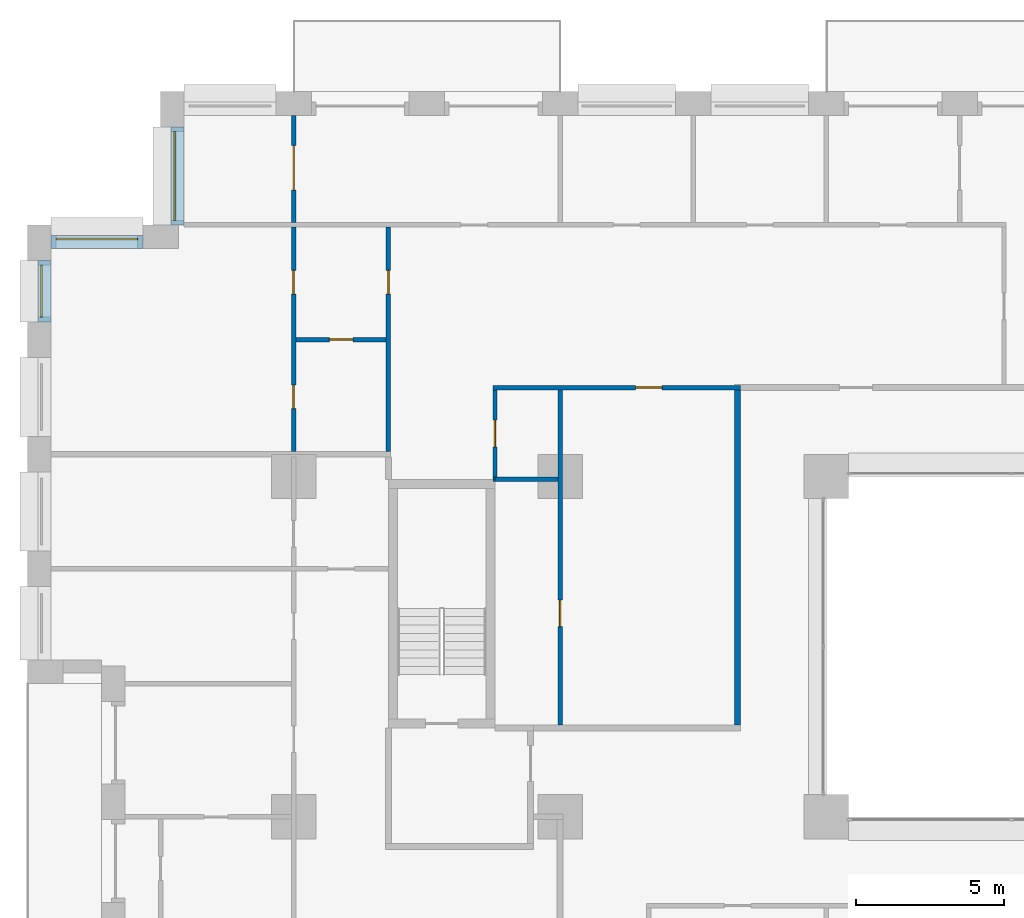
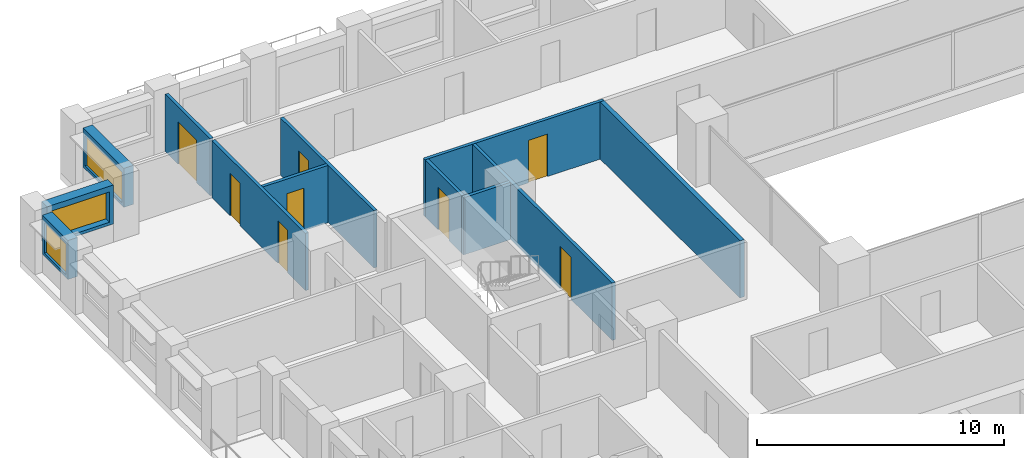
# One storey, part 14 of 20: 13 walls, 8 doors, 3 windows, 11 openings.
"""IFC4 building model written with IfcOpenShell, lengths in metres."""

from ifc_helpers import new_model, si_unit, direction, frame, frame_2d, origin, place, context, subcontext, project, spatial, rectangle, extrude, material, layer, layer_set, type_object, element, fill, save


model = new_model("IFC4")

# Units and contexts
model_context = context("Model", 3, precision=1e-05, world=origin(), true_north=direction((0.0, 1.0)))
body_context = subcontext(model_context, "Body", "Model", "MODEL_VIEW")
ifc_project = project(units=[si_unit("LENGTHUNIT", "METRE"), si_unit("AREAUNIT", "SQUARE_METRE"), si_unit("VOLUMEUNIT", "CUBIC_METRE"), si_unit("PLANEANGLEUNIT", "RADIAN"), si_unit("MASSUNIT", "GRAM", prefix="KILO")], contexts=[model_context])

# Site, building, storey
site_placement = place(None, origin())
site = spatial("IfcSite", under=ifc_project, at=site_placement, CompositionType="ELEMENT")
building_placement = place(site_placement, origin())
building = spatial("IfcBuilding", under=site, at=building_placement, Name="Brigalow Station Residences", CompositionType="ELEMENT")
storey_placement = place(building_placement, frame((0.0, 0.0, 38.39990234375)))
storey = spatial("IfcBuildingStorey", under=building, at=storey_placement, Name="L10", CompositionType="ELEMENT", Elevation=38.39990234375)

# Wall, opening, window
ifc_material_1 = material(Name="Clay brick masonry", Category="masonry")
ifc_layer_1 = layer(ifc_material_1, 0.449951171875)
ifc_layer_set_1 = layer_set([ifc_layer_1], Name="BRICK INFILL WALL 450")
wall_type_1 = type_object("IfcWallType", Name="BRICK INFILL WALL 450", PredefinedType="SOLIDWALL", material=ifc_layer_set_1)
wall_1_placement = place(storey_placement, frame((5.074951171875, 47.300048828125, 0.900146484375), z_axis=(0.0, 0.0, 1.0), x_axis=(0.0, -1.0, 0.0)))
wall_1 = element("IfcWall", 1, at=wall_1_placement, inside=storey, type_object=wall_type_1, Name="L10/ewall/W-L10-40", PredefinedType="SOLIDWALL", context=body_context, shape_type="SweptSolid", body=[
    extrude(rectangle(XDim=3.300048828125, YDim=0.449951171875, at=frame_2d((1.64990234375, 0.0))), origin(), (0.0, 0.0, 1.0), 1.929931640625),
])
opening_1_placement = place(wall_1_placement, frame((0.14990234375, 0.0, 0.14990234375)))
opening_1 = element("IfcOpeningElement", 2, at=opening_1_placement, cuts=wall_1, Name="Opening WT-2", PredefinedType="OPENING", context=body_context, shape_type="SweptSolid", body=[
    extrude(rectangle(XDim=3.0, YDim=1.5, at=frame_2d((1.5, 0.75))), frame((0.0, 0.23486328125, 0.0), z_axis=(0.0, -1.0, 0.0), x_axis=(1.0, 0.0, 0.0)), (0.0, 0.0, 1.0), 0.469970703125),
])
ifc_material_2 = material(Name="Anodised aluminium frame with double glazing", Category="aluminium")
window_type_1 = type_object("IfcWindowType", Name="WINDOW 3000x1500", PartitioningType="SINGLE_PANEL", PredefinedType="WINDOW", material=ifc_material_2)
window_1_placement = place(opening_1_placement, origin())
window_1 = element("IfcWindow", 3, at=window_1_placement, inside=storey, type_object=window_type_1, Name="L10/window/W-L10-40", OverallHeight=1.5, OverallWidth=3.0, PartitioningType="SINGLE_PANEL", PredefinedType="WINDOW", context=body_context, shape_type="SweptSolid", body=[
    extrude(rectangle(XDim=3.0, YDim=1.5, at=frame_2d((1.5, 0.75))), frame((0.0, -0.06494140625, 0.0), z_axis=(0.0, -1.0, 0.0), x_axis=(1.0, 0.0, 0.0)), (0.0, 0.0, 1.0), 0.06005859375),
])
fill(opening_1, window_1)

wall_2_placement = place(storey_placement, frame((3.89990234375, 43.425048828125, 0.900146484375), z_axis=(0.0, 0.0, 1.0), x_axis=(-1.0, 0.0, 0.0)))
wall_2 = element("IfcWall", 4, at=wall_2_placement, inside=storey, type_object=wall_type_1, Name="L10/ewall/W-L10-41", PredefinedType="SOLIDWALL", context=body_context, shape_type="SweptSolid", body=[
    extrude(rectangle(XDim=3.099853515625, YDim=0.449951171875, at=frame_2d((1.5498046875, 0.0))), origin(), (0.0, 0.0, 1.0), 1.929931640625),
])
opening_2_placement = place(wall_2_placement, frame((0.175048828125, 0.0, 0.14990234375)))
opening_2 = element("IfcOpeningElement", 5, at=opening_2_placement, cuts=wall_2, Name="Opening WT-3", PredefinedType="OPENING", context=body_context, shape_type="SweptSolid", body=[
    extrude(rectangle(XDim=2.75, YDim=1.5, at=frame_2d((1.375, 0.75))), frame((0.0, 0.23486328125, 0.0), z_axis=(0.0, -1.0, 0.0), x_axis=(1.0, 0.0, 0.0)), (0.0, 0.0, 1.0), 0.469970703125),
])
ifc_material_3 = material(Name="Anodised aluminium frame with double glazing", Category="aluminium")
window_type_2 = type_object("IfcWindowType", Name="WINDOW 2750x1500", PartitioningType="SINGLE_PANEL", PredefinedType="WINDOW", material=ifc_material_3)
window_2_placement = place(opening_2_placement, origin())
window_2 = element("IfcWindow", 6, at=window_2_placement, inside=storey, type_object=window_type_2, Name="L10/window/W-L10-41", OverallHeight=1.5, OverallWidth=2.75, PartitioningType="SINGLE_PANEL", PredefinedType="WINDOW", context=body_context, shape_type="SweptSolid", body=[
    extrude(rectangle(XDim=2.75, YDim=1.5, at=frame_2d((1.375, 0.75))), frame((0.0, -0.06494140625, 0.0), z_axis=(0.0, -1.0, 0.0), x_axis=(1.0, 0.0, 0.0)), (0.0, 0.0, 1.0), 0.06005859375),
])
fill(opening_2, window_2)

wall_3_placement = place(storey_placement, frame((0.574951171875, 42.800048828125, 0.900146484375), z_axis=(0.0, 0.0, 1.0), x_axis=(0.0, -1.0, 0.0)))
wall_3 = element("IfcWall", 7, at=wall_3_placement, inside=storey, type_object=wall_type_1, Name="L10/ewall/W-L10-42", PredefinedType="SOLIDWALL", context=body_context, shape_type="SweptSolid", body=[
    extrude(rectangle(XDim=2.074951171875, YDim=0.449951171875, at=frame_2d((1.03759765625, 0.0))), origin(), (0.0, 0.0, 1.0), 1.929931640625),
])
opening_3_placement = place(wall_3_placement, frame((0.16259765625, 0.0, 0.14990234375)))
opening_3 = element("IfcOpeningElement", 8, at=opening_3_placement, cuts=wall_3, Name="Opening WT-4", PredefinedType="OPENING", context=body_context, shape_type="SweptSolid", body=[
    extrude(rectangle(XDim=1.75, YDim=1.5, at=frame_2d((0.875, 0.75))), frame((0.0, 0.23486328125, 0.0), z_axis=(0.0, -1.0, 0.0), x_axis=(1.0, 0.0, 0.0)), (0.0, 0.0, 1.0), 0.469970703125),
])
ifc_material_4 = material(Name="Anodised aluminium frame with double glazing", Category="aluminium")
window_type_3 = type_object("IfcWindowType", Name="WINDOW 1750x1500", PartitioningType="SINGLE_PANEL", PredefinedType="WINDOW", material=ifc_material_4)
window_3_placement = place(opening_3_placement, origin())
window_3 = element("IfcWindow", 9, at=window_3_placement, inside=storey, type_object=window_type_3, Name="L10/window/W-L10-42", OverallHeight=1.5, OverallWidth=1.75, PartitioningType="SINGLE_PANEL", PredefinedType="WINDOW", context=body_context, shape_type="SweptSolid", body=[
    extrude(rectangle(XDim=1.75, YDim=1.5, at=frame_2d((0.875, 0.75))), frame((0.0, -0.06494140625, 0.0), z_axis=(0.0, -1.0, 0.0), x_axis=(1.0, 0.0, 0.0)), (0.0, 0.0, 1.0), 0.06005859375),
])
fill(opening_3, window_3)

# Wall, opening, door
ifc_material_5 = material(Name="Plasterboard on steel stud partition", Category="steel")
ifc_layer_2 = layer(ifc_material_5, 0.14990234375)
ifc_layer_set_2 = layer_set([ifc_layer_2], Name="FLAT PARTITION 150")
wall_type_2 = type_object("IfcWallType", Name="FLAT PARTITION 150", PredefinedType="PARTITIONING", material=ifc_layer_set_2)
wall_4_placement = place(storey_placement, frame((15.72509765625, 38.5, 0.0), z_axis=(0.0, 0.0, 1.0), x_axis=(1.0, 0.0, 0.0)))
wall_4 = element("IfcWall", 10, at=wall_4_placement, inside=storey, type_object=wall_type_2, Name="PW-1C09", PredefinedType="PARTITIONING", context=body_context, shape_type="SweptSolid", body=[
    extrude(rectangle(XDim=8.375, YDim=0.14990234375, at=frame_2d((4.1875, 0.0))), origin(), (0.0, 0.0, 1.0), 2.830078125),
])
opening_4_placement = place(wall_4_placement, frame((4.824951171875, 0.0, 0.0)))
opening_4 = element("IfcOpeningElement", 11, at=opening_4_placement, cuts=wall_4, Name="Opening D-1C28", PredefinedType="OPENING", context=body_context, shape_type="SweptSolid", body=[
    extrude(rectangle(XDim=0.89990234375, YDim=2.10009765625, at=frame_2d((0.449951171875, 1.050048828125))), frame((0.0, 0.0849609375, 0.0), z_axis=(0.0, -1.0, 0.0), x_axis=(1.0, 0.0, 0.0)), (0.0, 0.0, 1.0), 0.169921875),
])
ifc_material_6 = material(Name="Solid-core timber door leaf", Category="wood")
door_type_1 = type_object("IfcDoorType", Name="INTERNAL DOOR 900 x 2100", OperationType="SINGLE_SWING_LEFT", PredefinedType="DOOR", material=ifc_material_6)
door_1_placement = place(opening_4_placement, frame((0.89990234375, 0.0, 0.0), z_axis=(0.0, 0.0, 1.0), x_axis=(-1.0, 0.0, 0.0)))
door_1 = element("IfcDoor", 12, at=door_1_placement, inside=storey, type_object=door_type_1, Name="D-1C28", OperationType="SINGLE_SWING_LEFT", OverallHeight=2.10009765625, OverallWidth=0.89990234375, PredefinedType="DOOR", context=body_context, shape_type="SweptSolid", body=[
    extrude(rectangle(XDim=0.89990234375, YDim=2.10009765625, at=frame_2d((0.449951171875, 1.050048828125))), frame((0.0, 0.02490234375, 0.0), z_axis=(0.0, -1.0, 0.0), x_axis=(1.0, 0.0, 0.0)), (0.0, 0.0, 1.0), 0.050048828125),
])
fill(opening_4, door_1)

# Walls
wall_5_placement = place(storey_placement, frame((15.72509765625, 35.39990234375, 0.0), z_axis=(0.0, 0.0, 1.0), x_axis=(1.0, 0.0, 0.0)))
element("IfcWall", 13, at=wall_5_placement, inside=storey, type_object=wall_type_2, Name="PW-1C28", PredefinedType="PARTITIONING", context=body_context, shape_type="SweptSolid", body=[
    extrude(rectangle(XDim=0.074951171875, YDim=0.14990234375, at=frame_2d((0.03759765625, 0.0))), origin(), (0.0, 0.0, 1.0), 2.830078125),
])
wall_6_placement = place(storey_placement, frame((15.800048828125, 35.39990234375, 0.0), z_axis=(0.0, 0.0, 1.0), x_axis=(1.0, 0.0, 0.0)))
element("IfcWall", 14, at=wall_6_placement, inside=storey, type_object=wall_type_2, Name="PW-1C29", PredefinedType="PARTITIONING", context=body_context, shape_type="SweptSolid", body=[
    extrude(rectangle(XDim=2.125, YDim=0.14990234375, at=frame_2d((1.0625, 0.0))), origin(), (0.0, 0.0, 1.0), 2.830078125),
])

# Wall, opening, door
wall_7_placement = place(storey_placement, frame((9.074951171875, 40.125, 0.0), z_axis=(0.0, 0.0, 1.0), x_axis=(1.0, 0.0, 0.0)))
wall_7 = element("IfcWall", 15, at=wall_7_placement, inside=storey, type_object=wall_type_2, Name="PW-1C32", PredefinedType="PARTITIONING", context=body_context, shape_type="SweptSolid", body=[
    extrude(rectangle(XDim=3.050048828125, YDim=0.14990234375, at=frame_2d((1.52490234375, 0.0))), origin(), (0.0, 0.0, 1.0), 2.830078125),
])
opening_5_placement = place(wall_7_placement, frame((1.125, 0.0, 0.0)))
opening_5 = element("IfcOpeningElement", 16, at=opening_5_placement, cuts=wall_7, Name="Opening D-1C22", PredefinedType="OPENING", context=body_context, shape_type="SweptSolid", body=[
    extrude(rectangle(XDim=0.800048828125, YDim=2.10009765625, at=frame_2d((0.39990234375, 1.050048828125))), frame((0.0, 0.0849609375, 0.0), z_axis=(0.0, -1.0, 0.0), x_axis=(1.0, 0.0, 0.0)), (0.0, 0.0, 1.0), 0.169921875),
])
ifc_material_7 = material(Name="Solid-core timber door leaf", Category="wood")
door_type_2 = type_object("IfcDoorType", Name="INTERNAL DOOR 800 x 2100", OperationType="SINGLE_SWING_LEFT", PredefinedType="DOOR", material=ifc_material_7)
door_2_placement = place(opening_5_placement, frame((0.800048828125, 0.0, 0.0), z_axis=(0.0, 0.0, 1.0), x_axis=(-1.0, 0.0, 0.0)))
door_2 = element("IfcDoor", 17, at=door_2_placement, inside=storey, type_object=door_type_2, Name="D-1C22", OperationType="SINGLE_SWING_LEFT", OverallHeight=2.10009765625, OverallWidth=0.800048828125, PredefinedType="DOOR", context=body_context, shape_type="SweptSolid", body=[
    extrude(rectangle(XDim=0.800048828125, YDim=2.10009765625, at=frame_2d((0.39990234375, 1.050048828125))), frame((0.0, 0.02490234375, 0.0), z_axis=(0.0, -1.0, 0.0), x_axis=(1.0, 0.0, 0.0)), (0.0, 0.0, 1.0), 0.050048828125),
])
fill(opening_5, door_2)

wall_8_placement = place(storey_placement, frame((18.0, 27.10009765625, 0.0), z_axis=(0.0, 0.0, 1.0), x_axis=(0.0, 1.0, 0.0)))
wall_8 = element("IfcWall", 18, at=wall_8_placement, inside=storey, type_object=wall_type_2, Name="PW-1C38", PredefinedType="PARTITIONING", context=body_context, shape_type="SweptSolid", body=[
    extrude(rectangle(XDim=11.324951171875, YDim=0.14990234375, at=frame_2d((5.66259765625, 0.0))), origin(), (0.0, 0.0, 1.0), 2.830078125),
])
opening_6_placement = place(wall_8_placement, frame((3.324951171875, 0.0, 0.0)))
opening_6 = element("IfcOpeningElement", 19, at=opening_6_placement, cuts=wall_8, Name="Opening D-1C31", PredefinedType="OPENING", context=body_context, shape_type="SweptSolid", body=[
    extrude(rectangle(XDim=0.89990234375, YDim=2.10009765625, at=frame_2d((0.449951171875, 1.050048828125))), frame((0.0, 0.0849609375, 0.0), z_axis=(0.0, -1.0, 0.0), x_axis=(1.0, 0.0, 0.0)), (0.0, 0.0, 1.0), 0.169921875),
])
door_3_placement = place(opening_6_placement, origin())
door_3 = element("IfcDoor", 20, at=door_3_placement, inside=storey, type_object=door_type_1, Name="D-1C31", OperationType="SINGLE_SWING_LEFT", OverallHeight=2.10009765625, OverallWidth=0.89990234375, PredefinedType="DOOR", context=body_context, shape_type="SweptSolid", body=[
    extrude(rectangle(XDim=0.89990234375, YDim=2.10009765625, at=frame_2d((0.449951171875, 1.050048828125))), frame((0.0, 0.02490234375, 0.0), z_axis=(0.0, -1.0, 0.0), x_axis=(1.0, 0.0, 0.0)), (0.0, 0.0, 1.0), 0.050048828125),
])
fill(opening_6, door_3)

# Wall, openings, doors
wall_9_placement = place(storey_placement, frame((9.0, 36.35009765625, 0.0), z_axis=(0.0, 0.0, 1.0), x_axis=(0.0, 1.0, 0.0)))
wall_9 = element("IfcWall", 21, at=wall_9_placement, inside=storey, type_object=wall_type_2, Name="PW-1C56", PredefinedType="PARTITIONING", context=body_context, shape_type="SweptSolid", body=[
    extrude(rectangle(XDim=7.574951171875, YDim=0.14990234375, at=frame_2d((3.78759765625, 0.0))), origin(), (0.0, 0.0, 1.0), 2.830078125),
])
opening_7_placement = place(wall_9_placement, frame((5.31201171875, 0.0, 0.0)))
opening_7 = element("IfcOpeningElement", 22, at=opening_7_placement, cuts=wall_9, Name="Opening D-1C24", PredefinedType="OPENING", context=body_context, shape_type="SweptSolid", body=[
    extrude(rectangle(XDim=0.800048828125, YDim=2.10009765625, at=frame_2d((0.39990234375, 1.050048828125))), frame((0.0, 0.0849609375, 0.0), z_axis=(0.0, -1.0, 0.0), x_axis=(1.0, 0.0, 0.0)), (0.0, 0.0, 1.0), 0.169921875),
])
opening_8_placement = place(wall_9_placement, frame((1.43798828125, 0.0, 0.0)))
opening_8 = element("IfcOpeningElement", 23, at=opening_8_placement, cuts=wall_9, Name="Opening D-1C25", PredefinedType="OPENING", context=body_context, shape_type="SweptSolid", body=[
    extrude(rectangle(XDim=0.800048828125, YDim=2.10009765625, at=frame_2d((0.39990234375, 1.050048828125))), frame((0.0, 0.0849609375, 0.0), z_axis=(0.0, -1.0, 0.0), x_axis=(1.0, 0.0, 0.0)), (0.0, 0.0, 1.0), 0.169921875),
])
door_4_placement = place(opening_7_placement, frame((0.800048828125, 0.0, 0.0), z_axis=(0.0, 0.0, 1.0), x_axis=(-1.0, 0.0, 0.0)))
door_4 = element("IfcDoor", 24, at=door_4_placement, inside=storey, type_object=door_type_2, Name="D-1C24", OperationType="SINGLE_SWING_RIGHT", OverallHeight=2.10009765625, OverallWidth=0.800048828125, PredefinedType="DOOR", context=body_context, shape_type="SweptSolid", body=[
    extrude(rectangle(XDim=0.800048828125, YDim=2.10009765625, at=frame_2d((0.39990234375, 1.050048828125))), frame((0.0, 0.02490234375, 0.0), z_axis=(0.0, -1.0, 0.0), x_axis=(1.0, 0.0, 0.0)), (0.0, 0.0, 1.0), 0.050048828125),
])
fill(opening_7, door_4)
door_5_placement = place(opening_8_placement, frame((0.800048828125, 0.0, 0.0), z_axis=(0.0, 0.0, 1.0), x_axis=(-1.0, 0.0, 0.0)))
door_5 = element("IfcDoor", 25, at=door_5_placement, inside=storey, type_object=door_type_2, Name="D-1C25", OperationType="SINGLE_SWING_RIGHT", OverallHeight=2.10009765625, OverallWidth=0.800048828125, PredefinedType="DOOR", context=body_context, shape_type="SweptSolid", body=[
    extrude(rectangle(XDim=0.800048828125, YDim=2.10009765625, at=frame_2d((0.39990234375, 1.050048828125))), frame((0.0, 0.02490234375, 0.0), z_axis=(0.0, -1.0, 0.0), x_axis=(1.0, 0.0, 0.0)), (0.0, 0.0, 1.0), 0.050048828125),
])
fill(opening_8, door_5)

# Wall, opening, door
wall_10_placement = place(storey_placement, frame((9.0, 44.074951171875, 0.0), z_axis=(0.0, 0.0, 1.0), x_axis=(0.0, 1.0, 0.0)))
wall_10 = element("IfcWall", 26, at=wall_10_placement, inside=storey, type_object=wall_type_2, Name="PW-1C57", PredefinedType="PARTITIONING", context=body_context, shape_type="SweptSolid", body=[
    extrude(rectangle(XDim=3.625, YDim=0.14990234375, at=frame_2d((1.8125, 0.0))), origin(), (0.0, 0.0, 1.0), 2.830078125),
])
opening_9_placement = place(wall_10_placement, frame((1.10009765625, 0.0, 0.0)))
opening_9 = element("IfcOpeningElement", 27, at=opening_9_placement, cuts=wall_10, Name="Opening D-1C21", PredefinedType="OPENING", context=body_context, shape_type="SweptSolid", body=[
    extrude(rectangle(XDim=1.5, YDim=2.10009765625, at=frame_2d((0.75, 1.050048828125))), frame((0.0, 0.0849609375, 0.0), z_axis=(0.0, -1.0, 0.0), x_axis=(1.0, 0.0, 0.0)), (0.0, 0.0, 1.0), 0.169921875),
])
ifc_material_8 = material(Name="Solid-core timber door leaf", Category="wood")
door_type_3 = type_object("IfcDoorType", Name="INTERNAL DOUBLE DOOR 1500 x 2100", OperationType="DOUBLE_DOOR_SINGLE_SWING", PredefinedType="DOOR", material=ifc_material_8)
door_6_placement = place(opening_9_placement, origin())
door_6 = element("IfcDoor", 28, at=door_6_placement, inside=storey, type_object=door_type_3, Name="D-1C21", OperationType="DOUBLE_DOOR_SINGLE_SWING", OverallHeight=2.10009765625, OverallWidth=1.5, PredefinedType="DOOR", context=body_context, shape_type="SweptSolid", body=[
    extrude(rectangle(XDim=1.5, YDim=2.10009765625, at=frame_2d((0.75, 1.050048828125))), frame((0.0, 0.02490234375, 0.0), z_axis=(0.0, -1.0, 0.0), x_axis=(1.0, 0.0, 0.0)), (0.0, 0.0, 1.0), 0.050048828125),
])
fill(opening_9, door_6)

wall_11_placement = place(storey_placement, frame((12.199951171875, 36.35009765625, 0.0), z_axis=(0.0, 0.0, 1.0), x_axis=(0.0, 1.0, 0.0)))
wall_11 = element("IfcWall", 29, at=wall_11_placement, inside=storey, type_object=wall_type_2, Name="PW-1C58", PredefinedType="PARTITIONING", context=body_context, shape_type="SweptSolid", body=[
    extrude(rectangle(XDim=7.574951171875, YDim=0.14990234375, at=frame_2d((3.78759765625, 0.0))), origin(), (0.0, 0.0, 1.0), 2.830078125),
])
opening_10_placement = place(wall_11_placement, frame((5.31201171875, 0.0, 0.0)))
opening_10 = element("IfcOpeningElement", 30, at=opening_10_placement, cuts=wall_11, Name="Opening D-1C23", PredefinedType="OPENING", context=body_context, shape_type="SweptSolid", body=[
    extrude(rectangle(XDim=0.800048828125, YDim=2.10009765625, at=frame_2d((0.39990234375, 1.050048828125))), frame((0.0, 0.0849609375, 0.0), z_axis=(0.0, -1.0, 0.0), x_axis=(1.0, 0.0, 0.0)), (0.0, 0.0, 1.0), 0.169921875),
])
door_7_placement = place(opening_10_placement, origin())
door_7 = element("IfcDoor", 31, at=door_7_placement, inside=storey, type_object=door_type_2, Name="D-1C23", OperationType="SINGLE_SWING_LEFT", OverallHeight=2.10009765625, OverallWidth=0.800048828125, PredefinedType="DOOR", context=body_context, shape_type="SweptSolid", body=[
    extrude(rectangle(XDim=0.800048828125, YDim=2.10009765625, at=frame_2d((0.39990234375, 1.050048828125))), frame((0.0, 0.02490234375, 0.0), z_axis=(0.0, -1.0, 0.0), x_axis=(1.0, 0.0, 0.0)), (0.0, 0.0, 1.0), 0.050048828125),
])
fill(opening_10, door_7)

wall_12_placement = place(storey_placement, frame((15.800048828125, 35.47509765625, 0.0), z_axis=(0.0, 0.0, 1.0), x_axis=(0.0, 1.0, 0.0)))
wall_12 = element("IfcWall", 32, at=wall_12_placement, inside=storey, type_object=wall_type_2, Name="PW-1C61", PredefinedType="PARTITIONING", context=body_context, shape_type="SweptSolid", body=[
    extrude(rectangle(XDim=2.949951171875, YDim=0.14990234375, at=frame_2d((1.47509765625, 0.0))), origin(), (0.0, 0.0, 1.0), 2.830078125),
])
opening_11_placement = place(wall_12_placement, frame((1.02490234375, 0.0, 0.0)))
opening_11 = element("IfcOpeningElement", 33, at=opening_11_placement, cuts=wall_12, Name="Opening D-1C30", PredefinedType="OPENING", context=body_context, shape_type="SweptSolid", body=[
    extrude(rectangle(XDim=0.89990234375, YDim=2.10009765625, at=frame_2d((0.449951171875, 1.050048828125))), frame((0.0, 0.0849609375, 0.0), z_axis=(0.0, -1.0, 0.0), x_axis=(1.0, 0.0, 0.0)), (0.0, 0.0, 1.0), 0.169921875),
])
door_8_placement = place(opening_11_placement, frame((0.89990234375, 0.0, 0.0), z_axis=(0.0, 0.0, 1.0), x_axis=(-1.0, 0.0, 0.0)))
door_8 = element("IfcDoor", 34, at=door_8_placement, inside=storey, type_object=door_type_1, Name="D-1C30", OperationType="SINGLE_SWING_LEFT", OverallHeight=2.10009765625, OverallWidth=0.89990234375, PredefinedType="DOOR", context=body_context, shape_type="SweptSolid", body=[
    extrude(rectangle(XDim=0.89990234375, YDim=2.10009765625, at=frame_2d((0.449951171875, 1.050048828125))), frame((0.0, 0.02490234375, 0.0), z_axis=(0.0, -1.0, 0.0), x_axis=(1.0, 0.0, 0.0)), (0.0, 0.0, 1.0), 0.050048828125),
])
fill(opening_11, door_8)

# Wall
ifc_material_9 = material(Name="Plasterboard on steel stud partition", Category="steel")
ifc_layer_3 = layer(ifc_material_9, 0.199951171875)
ifc_layer_set_3 = layer_set([ifc_layer_3], Name="PARTY AND CORRIDOR WALL 200")
wall_type_3 = type_object("IfcWallType", Name="PARTY AND CORRIDOR WALL 200", PredefinedType="PARTITIONING", material=ifc_layer_set_3)
wall_13_placement = place(storey_placement, frame((24.0, 27.10009765625, 0.0), z_axis=(0.0, 0.0, 1.0), x_axis=(0.0, 1.0, 0.0)))
element("IfcWall", 35, at=wall_13_placement, inside=storey, type_object=wall_type_3, Name="PW-1C47", PredefinedType="PARTITIONING", context=body_context, shape_type="SweptSolid", body=[
    extrude(rectangle(XDim=11.324951171875, YDim=0.199951171875, at=frame_2d((5.66259765625, 0.0))), origin(), (0.0, 0.0, 1.0), 2.830078125),
])

save(model, "model.ifc")
